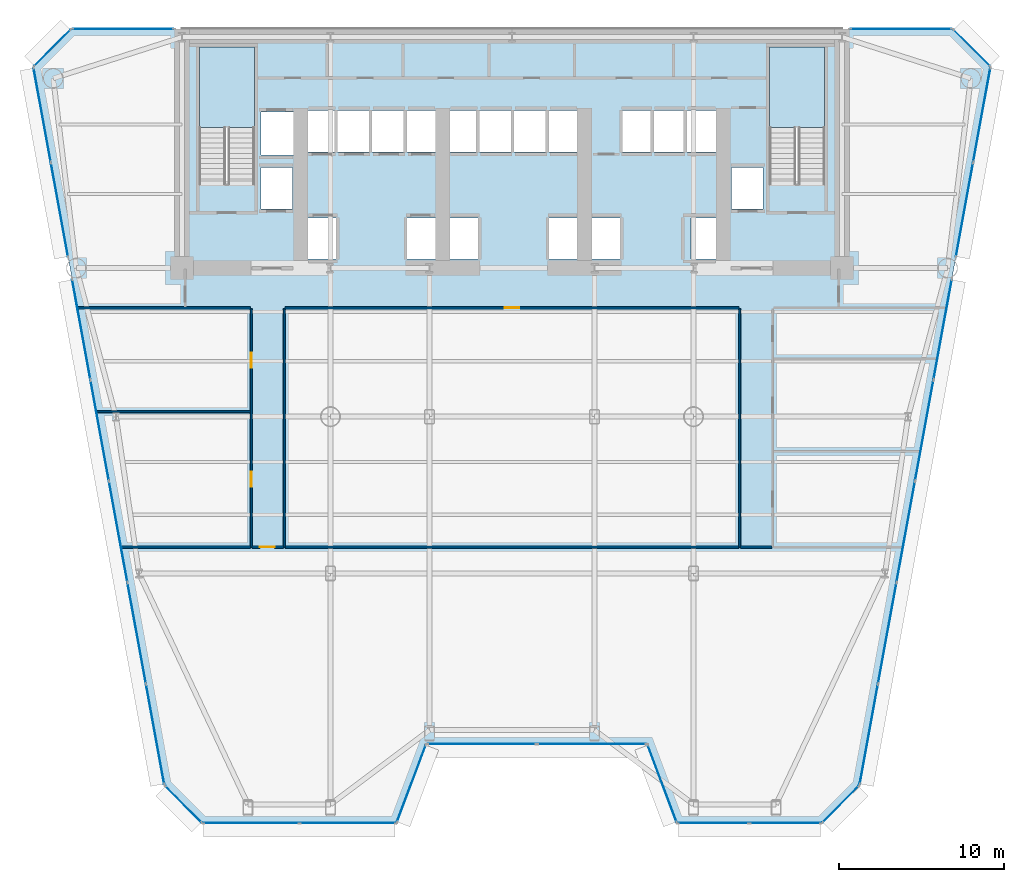
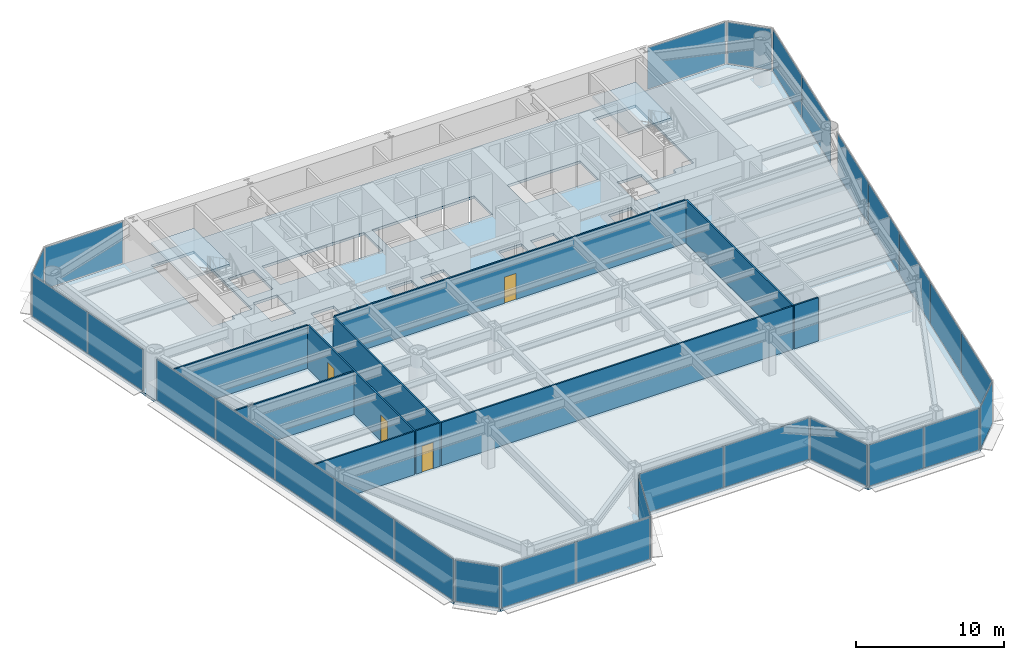
# One storey, part 7 of 14: 28 plates, 10 walls, 4 doors, 3 slabs, 4 openings, 17 elements without a shape of their own.
"""IFC4 building model written with IfcOpenShell, lengths in metres."""

from ifc_helpers import new_model, si_unit, direction, frame, frame_2d, origin, origin_2d, place, context, subcontext, project, spatial, polyline, rectangle, outline, extrude, source, transform, mapped, material, layer, layer_set, type_object, element, fill, aggregate, save


model = new_model("IFC4")

# Units and contexts
model_context = context("Model", 3, precision=1e-05, world=origin(), true_north=direction((0.0, 1.0)))
body_context = subcontext(model_context, "Body", "Model", "MODEL_VIEW")
ifc_project = project(units=[si_unit("LENGTHUNIT", "METRE"), si_unit("AREAUNIT", "SQUARE_METRE"), si_unit("VOLUMEUNIT", "CUBIC_METRE"), si_unit("PLANEANGLEUNIT", "RADIAN"), si_unit("MASSUNIT", "GRAM", prefix="KILO")], contexts=[model_context])

# Site, building, storey
site_placement = place(None, origin())
site = spatial("IfcSite", under=ifc_project, at=site_placement, CompositionType="ELEMENT")
building_placement = place(site_placement, origin())
building = spatial("IfcBuilding", under=site, at=building_placement, Name="Vaeldorn Concourse Tower", CompositionType="ELEMENT")
storey_placement = place(building_placement, frame((0.0, 0.0, 64.39990234375)))
storey = spatial("IfcBuildingStorey", under=building, at=storey_placement, Name="L16", CompositionType="ELEMENT", Elevation=64.39990234375)

# Stair, slab
ifc_material_1 = material(Name="Precast concrete C40/50", Category="concrete")
stair_type = type_object("IfcStairType", Name="STR-DOG-24x158", PredefinedType="HALF_TURN_STAIR", material=ifc_material_1)
stair_1_placement = place(storey_placement, origin())
stair_1 = element("IfcStair", 1, at=stair_1_placement, inside=storey, type_object=stair_type, Name="L16 West Core Exit Stair ST-1", PredefinedType="HALF_TURN_STAIR")
ifc_material_2 = material(Name="Concrete C40/50", Category="concrete")
ifc_layer_1 = layer(ifc_material_2, 0.199951171875)
ifc_layer_set_1 = layer_set([ifc_layer_1], Name="Concrete C40/50")
slab_type_1 = type_object("IfcSlabType", Name="SL-STAIR-LANDING", PredefinedType="LANDING", material=ifc_layer_set_1)
slab_1_placement = place(storey_placement, frame((0.0, 0.0, 1.7001953125)))
slab_1 = element("IfcSlab", 2, at=slab_1_placement, type_object=slab_type_1, Name="ST-1 landing 1", PredefinedType="LANDING", context=body_context, shape_type="SweptSolid", body=[
    extrude(outline(polyline([(18.39990234375, 45.010009765625), (18.39990234375, 49.89990234375), (15.050048828125, 49.89990234375), (15.050048828125, 45.010009765625), (18.39990234375, 45.010009765625)])), origin(), (0.0, 0.0, 1.0), 0.199951171875),
])
aggregate(stair_1, [slab_1])

stair_2_placement = place(storey_placement, origin())
stair_2 = element("IfcStair", 3, at=stair_2_placement, inside=storey, type_object=stair_type, Name="L16 East Core Exit Stair ST-2", PredefinedType="HALF_TURN_STAIR")
slab_2_placement = place(storey_placement, frame((0.0, 0.0, 1.7001953125)))
slab_2 = element("IfcSlab", 4, at=slab_2_placement, type_object=slab_type_1, Name="ST-2 landing 1", PredefinedType="LANDING", context=body_context, shape_type="SweptSolid", body=[
    extrude(outline(polyline([(52.949951171875, 45.010009765625), (52.949951171875, 49.89990234375), (49.60009765625, 49.89990234375), (49.60009765625, 45.010009765625), (52.949951171875, 45.010009765625)])), origin(), (0.0, 0.0, 1.0), 0.199951171875),
])
aggregate(stair_2, [slab_2])

# Slab
ifc_layer_2 = layer(ifc_material_2, 0.219970703125)
ifc_layer_set_2 = layer_set([ifc_layer_2], Name="Concrete C40/50")
slab_type_2 = type_object("IfcSlabType", Name="SL-TYP-220", PredefinedType="FLOOR", material=ifc_layer_set_2)
slab_3_placement = place(storey_placement, frame((0.0, 0.0, -0.219970703125)))
element("IfcSlab", 5, at=slab_3_placement, inside=storey, type_object=slab_type_2, Name="Structural Floor Slab L16", PredefinedType="FLOOR", context=body_context, shape_type="SweptSolid", body=[
    extrude(outline(polyline([(15.24169921875, 2.868896484375), (27.0, 2.868896484375), (28.800048828125, 7.6689453125), (42.199951171875, 7.6689453125), (44.0, 2.868896484375), (52.75830078125, 2.868896484375), (55.058349609375, 5.1689453125), (63.0, 48.699951171875), (60.699951171875, 51.0), (7.300048828125, 51.0), (5.0, 48.699951171875), (12.941650390625, 5.1689453125), (15.24169921875, 2.868896484375)]), holes=[polyline([(18.39990234375, 42.0), (18.39990234375, 49.89990234375), (15.050048828125, 49.89990234375), (15.050048828125, 41.60009765625), (16.800048828125, 41.60009765625), (16.800048828125, 42.0), (18.39990234375, 42.0)]), polyline([(52.949951171875, 42.0), (52.949951171875, 49.89990234375), (49.60009765625, 49.89990234375), (49.60009765625, 41.60009765625), (51.35009765625, 41.60009765625), (51.35009765625, 42.0), (52.949951171875, 42.0)]), polyline([(21.550048828125, 37.050048828125), (23.35009765625, 37.050048828125), (23.35009765625, 39.550048828125), (21.550048828125, 39.550048828125), (21.550048828125, 37.050048828125)]), polyline([(27.64990234375, 37.050048828125), (29.449951171875, 37.050048828125), (29.449951171875, 39.550048828125), (27.64990234375, 39.550048828125), (27.64990234375, 37.050048828125)]), polyline([(21.5, 43.550048828125), (29.5, 43.550048828125), (29.5, 46.050048828125), (21.5, 46.050048828125), (21.5, 43.550048828125)]), polyline([(30.14990234375, 37.050048828125), (31.949951171875, 37.050048828125), (31.949951171875, 39.550048828125), (30.14990234375, 39.550048828125), (30.14990234375, 37.050048828125)]), polyline([(36.25, 37.050048828125), (38.050048828125, 37.050048828125), (38.050048828125, 39.550048828125), (36.25, 39.550048828125), (36.25, 37.050048828125)]), polyline([(30.10009765625, 43.550048828125), (38.10009765625, 43.550048828125), (38.10009765625, 46.050048828125), (30.10009765625, 46.050048828125), (30.10009765625, 43.550048828125)]), polyline([(38.75, 37.050048828125), (40.550048828125, 37.050048828125), (40.550048828125, 39.550048828125), (38.75, 39.550048828125), (38.75, 37.050048828125)]), polyline([(44.85009765625, 37.050048828125), (46.64990234375, 37.050048828125), (46.64990234375, 39.550048828125), (44.85009765625, 39.550048828125), (44.85009765625, 37.050048828125)]), polyline([(40.699951171875, 43.550048828125), (46.39990234375, 43.550048828125), (46.39990234375, 46.050048828125), (40.699951171875, 46.050048828125), (40.699951171875, 43.550048828125)]), polyline([(18.800048828125, 43.35009765625), (20.800048828125, 43.35009765625), (20.800048828125, 45.949951171875), (18.800048828125, 45.949951171875), (18.800048828125, 43.35009765625)]), polyline([(18.800048828125, 40.10009765625), (20.699951171875, 40.10009765625), (20.699951171875, 42.60009765625), (18.800048828125, 42.60009765625), (18.800048828125, 40.10009765625)]), polyline([(47.300048828125, 40.10009765625), (49.199951171875, 40.10009765625), (49.199951171875, 42.60009765625), (47.300048828125, 42.60009765625), (47.300048828125, 40.10009765625)])]), origin(), (0.0, 0.0, 1.0), 0.219970703125),
])

# Curtain wall, plate
ifc_material_3 = material(Name="Anodised Bronze Aluminium", Category="aluminium")
ifc_layer_3 = layer(ifc_material_3, 0.219970703125)
ifc_layer_set_3 = layer_set([ifc_layer_3], Name="Anodised Bronze Aluminium")
curtain_wall_type = type_object("IfcCurtainWallType", Name="CW-SYS-01", PredefinedType="NOTDEFINED", material=ifc_layer_set_3)
curtain_wall_1_placement = place(storey_placement, origin())
curtain_wall_1 = element("IfcCurtainWall", 6, at=curtain_wall_1_placement, inside=storey, type_object=curtain_wall_type, Name="Unitised Curtain Wall CW-L16-E02-1", PredefinedType="NOTDEFINED")
ifc_material_4 = material(Name="Bronze Tinted Low-E Insulated Glass", Category="glass")
ifc_layer_4 = layer(ifc_material_4, 0.031982421875)
ifc_layer_set_4 = layer_set([ifc_layer_4], Name="Bronze Tinted Low-E Insulated Glass")
plate_type = type_object("IfcPlateType", Name="CWP-VISION-32", PredefinedType="CURTAIN_PANEL", material=ifc_layer_set_4)
shared_shape_1 = source(origin(), body_context, "Body", "SweptSolid", [
    extrude(rectangle(XDim=4.976318359375, YDim=0.031982421875, at=origin_2d()), origin(), (0.0, 0.0, 1.0), 3.429931640625),
])
plate_1_placement = place(storey_placement, frame((27.89990234375, 5.268798828125, 0.0751953125), z_axis=(0.0, 0.0, 1.0), x_axis=(0.351123441595, 0.936329177566, 0.0)))
plate_1 = element("IfcPlate", 7, at=plate_1_placement, type_object=plate_type, Name="CW-01 panel 1.1", PredefinedType="CURTAIN_PANEL", context=body_context, shape_type="MappedRepresentation", body=[
    mapped(shared_shape_1, transform((0.0, 0.0, 0.0), scale=1.0)),
])
aggregate(curtain_wall_1, [plate_1])

curtain_wall_2_placement = place(storey_placement, origin())
curtain_wall_2 = element("IfcCurtainWall", 8, at=curtain_wall_2_placement, inside=storey, type_object=curtain_wall_type, Name="Unitised Curtain Wall CW-L16-E04-1", PredefinedType="NOTDEFINED")
plate_2_placement = place(storey_placement, frame((43.10009765625, 5.268798828125, 0.0751953125), z_axis=(0.0, 0.0, 1.0), x_axis=(0.351123441595, -0.936329177566, 0.0)))
plate_2 = element("IfcPlate", 9, at=plate_2_placement, type_object=plate_type, Name="CW-01 panel 1.1", PredefinedType="CURTAIN_PANEL", context=body_context, shape_type="MappedRepresentation", body=[
    mapped(shared_shape_1, transform((0.0, 0.0, 0.0), scale=1.0)),
])
aggregate(curtain_wall_2, [plate_2])

# Curtain wall, plates
curtain_wall_3_placement = place(storey_placement, origin())
curtain_wall_3 = element("IfcCurtainWall", 10, at=curtain_wall_3_placement, inside=storey, type_object=curtain_wall_type, Name="Unitised Curtain Wall CW-L16-E03-1", PredefinedType="NOTDEFINED")
shared_shape_2 = source(origin(), body_context, "Body", "SweptSolid", [
    extrude(rectangle(XDim=6.58740234375, YDim=0.031982421875, at=origin_2d()), origin(), (0.0, 0.0, 1.0), 3.429931640625),
])
plate_3_placement = place(storey_placement, frame((32.168701171875, 7.6689453125, 0.0751953125), z_axis=(0.0, 0.0, 1.0), x_axis=(1.0, 0.0, 0.0)))
plate_3 = element("IfcPlate", 11, at=plate_3_placement, type_object=plate_type, Name="CW-01 panel 1.1", PredefinedType="CURTAIN_PANEL", context=body_context, shape_type="MappedRepresentation", body=[
    mapped(shared_shape_2, transform((0.0, 0.0, 0.0), scale=1.0)),
])
plate_4_placement = place(storey_placement, frame((38.831298828125, 7.6689453125, 0.0751953125), z_axis=(0.0, 0.0, 1.0), x_axis=(1.0, 0.0, 0.0)))
plate_4 = element("IfcPlate", 12, at=plate_4_placement, type_object=plate_type, Name="CW-01 panel 2.1", PredefinedType="CURTAIN_PANEL", context=body_context, shape_type="MappedRepresentation", body=[
    mapped(shared_shape_2, transform((0.0, 0.0, 0.0), scale=1.0)),
])
aggregate(curtain_wall_3, [plate_3, plate_4])

# Curtain wall, plate
curtain_wall_4_placement = place(storey_placement, origin())
curtain_wall_4 = element("IfcCurtainWall", 13, at=curtain_wall_4_placement, inside=storey, type_object=curtain_wall_type, Name="Unitised Curtain Wall CW-L16-E06-1", PredefinedType="NOTDEFINED")
shared_shape_3 = source(origin(), body_context, "Body", "SweptSolid", [
    extrude(rectangle(XDim=3.102783203125, YDim=0.031982421875, at=origin_2d()), origin(), (0.0, 0.0, 1.0), 3.429931640625),
])
plate_5_placement = place(storey_placement, frame((53.908447265625, 4.018798828125, 0.0751953125), z_axis=(0.0, 0.0, 1.0), x_axis=(0.707106781187, 0.707106781187, 0.0)))
plate_5 = element("IfcPlate", 14, at=plate_5_placement, type_object=plate_type, Name="CW-01 panel 1.1", PredefinedType="CURTAIN_PANEL", context=body_context, shape_type="MappedRepresentation", body=[
    mapped(shared_shape_3, transform((0.0, 0.0, 0.0), scale=1.0)),
])
aggregate(curtain_wall_4, [plate_5])

curtain_wall_5_placement = place(storey_placement, origin())
curtain_wall_5 = element("IfcCurtainWall", 15, at=curtain_wall_5_placement, inside=storey, type_object=curtain_wall_type, Name="Unitised Curtain Wall CW-L16-E08-1", PredefinedType="NOTDEFINED")
plate_6_placement = place(storey_placement, frame((61.85009765625, 49.85009765625, 0.0751953125), z_axis=(0.0, 0.0, 1.0), x_axis=(-0.707106781187, 0.707106781187, 0.0)))
plate_6 = element("IfcPlate", 16, at=plate_6_placement, type_object=plate_type, Name="CW-01 panel 1.1", PredefinedType="CURTAIN_PANEL", context=body_context, shape_type="MappedRepresentation", body=[
    mapped(shared_shape_3, transform((0.0, 0.0, 0.0), scale=1.0)),
])
aggregate(curtain_wall_5, [plate_6])

curtain_wall_6_placement = place(storey_placement, origin())
curtain_wall_6 = element("IfcCurtainWall", 17, at=curtain_wall_6_placement, inside=storey, type_object=curtain_wall_type, Name="Unitised Curtain Wall CW-L16-E10-1", PredefinedType="NOTDEFINED")
plate_7_placement = place(storey_placement, frame((6.14990234375, 49.85009765625, 0.0751953125), z_axis=(0.0, 0.0, 1.0), x_axis=(-0.707106781187, -0.707106781187, 0.0)))
plate_7 = element("IfcPlate", 18, at=plate_7_placement, type_object=plate_type, Name="CW-01 panel 1.1", PredefinedType="CURTAIN_PANEL", context=body_context, shape_type="MappedRepresentation", body=[
    mapped(shared_shape_3, transform((0.0, 0.0, 0.0), scale=1.0)),
])
aggregate(curtain_wall_6, [plate_7])

curtain_wall_7_placement = place(storey_placement, origin())
curtain_wall_7 = element("IfcCurtainWall", 19, at=curtain_wall_7_placement, inside=storey, type_object=curtain_wall_type, Name="Unitised Curtain Wall CW-L16-E12-1", PredefinedType="NOTDEFINED")
plate_8_placement = place(storey_placement, frame((14.091552734375, 4.018798828125, 0.0751953125), z_axis=(0.0, 0.0, 1.0), x_axis=(0.707106781187, -0.707106781187, 0.0)))
plate_8 = element("IfcPlate", 20, at=plate_8_placement, type_object=plate_type, Name="CW-01 panel 1.1", PredefinedType="CURTAIN_PANEL", context=body_context, shape_type="MappedRepresentation", body=[
    mapped(shared_shape_3, transform((0.0, 0.0, 0.0), scale=1.0)),
])
aggregate(curtain_wall_7, [plate_8])

curtain_wall_8_placement = place(storey_placement, origin())
curtain_wall_8 = element("IfcCurtainWall", 21, at=curtain_wall_8_placement, inside=storey, type_object=curtain_wall_type, Name="Unitised Curtain Wall CW-L16-E09-1", PredefinedType="NOTDEFINED")
shared_shape_4 = source(origin(), body_context, "Body", "SweptSolid", [
    extrude(rectangle(XDim=6.10498046875, YDim=0.031982421875, at=origin_2d()), origin(), (0.0, 0.0, 1.0), 3.429931640625),
])
plate_9_placement = place(storey_placement, frame((57.572509765625, 51.0, 0.0751953125), z_axis=(0.0, 0.0, 1.0), x_axis=(-1.0, 0.0, 0.0)))
plate_9 = element("IfcPlate", 22, at=plate_9_placement, type_object=plate_type, Name="CW-01 panel 1.1", PredefinedType="CURTAIN_PANEL", context=body_context, shape_type="MappedRepresentation", body=[
    mapped(shared_shape_4, transform((0.0, 0.0, 0.0), scale=1.0)),
])
aggregate(curtain_wall_8, [plate_9])

curtain_wall_9_placement = place(storey_placement, origin())
curtain_wall_9 = element("IfcCurtainWall", 23, at=curtain_wall_9_placement, inside=storey, type_object=curtain_wall_type, Name="Unitised Curtain Wall CW-L16-E09-2", PredefinedType="NOTDEFINED")
plate_10_placement = place(storey_placement, frame((10.427490234375, 51.0, 0.0751953125), z_axis=(0.0, 0.0, 1.0), x_axis=(-1.0, 0.0, 0.0)))
plate_10 = element("IfcPlate", 24, at=plate_10_placement, type_object=plate_type, Name="CW-01 panel 1.1", PredefinedType="CURTAIN_PANEL", context=body_context, shape_type="MappedRepresentation", body=[
    mapped(shared_shape_4, transform((0.0, 0.0, 0.0), scale=1.0)),
])
aggregate(curtain_wall_9, [plate_10])

# Curtain wall, plates
curtain_wall_10_placement = place(storey_placement, origin())
curtain_wall_10 = element("IfcCurtainWall", 25, at=curtain_wall_10_placement, inside=storey, type_object=curtain_wall_type, Name="Unitised Curtain Wall CW-L16-E01-1", PredefinedType="NOTDEFINED")
shared_shape_5 = source(origin(), body_context, "Body", "SweptSolid", [
    extrude(rectangle(XDim=5.7666015625, YDim=0.031982421875, at=origin_2d()), origin(), (0.0, 0.0, 1.0), 3.429931640625),
])
plate_11_placement = place(storey_placement, frame((18.199951171875, 2.868896484375, 0.0751953125), z_axis=(0.0, 0.0, 1.0), x_axis=(1.0, 0.0, 0.0)))
plate_11 = element("IfcPlate", 26, at=plate_11_placement, type_object=plate_type, Name="CW-01 panel 1.1", PredefinedType="CURTAIN_PANEL", context=body_context, shape_type="MappedRepresentation", body=[
    mapped(shared_shape_5, transform((0.0, 0.0, 0.0), scale=1.0)),
])
plate_12_placement = place(storey_placement, frame((24.041748046875, 2.868896484375, 0.0751953125), z_axis=(0.0, 0.0, 1.0), x_axis=(1.0, 0.0, 0.0)))
plate_12 = element("IfcPlate", 27, at=plate_12_placement, type_object=plate_type, Name="CW-01 panel 2.1", PredefinedType="CURTAIN_PANEL", context=body_context, shape_type="MappedRepresentation", body=[
    mapped(shared_shape_5, transform((0.0, 0.0, 0.0), scale=1.0)),
])
aggregate(curtain_wall_10, [plate_11, plate_12])

curtain_wall_11_placement = place(storey_placement, origin())
curtain_wall_11 = element("IfcCurtainWall", 28, at=curtain_wall_11_placement, inside=storey, type_object=curtain_wall_type, Name="Unitised Curtain Wall CW-L16-E05-1", PredefinedType="NOTDEFINED")
shared_shape_6 = source(origin(), body_context, "Body", "SweptSolid", [
    extrude(rectangle(XDim=4.2666015625, YDim=0.031982421875, at=origin_2d()), origin(), (0.0, 0.0, 1.0), 3.429931640625),
])
plate_13_placement = place(storey_placement, frame((46.208251953125, 2.868896484375, 0.0751953125), z_axis=(0.0, 0.0, 1.0), x_axis=(1.0, 0.0, 0.0)))
plate_13 = element("IfcPlate", 29, at=plate_13_placement, type_object=plate_type, Name="CW-01 panel 1.1", PredefinedType="CURTAIN_PANEL", context=body_context, shape_type="MappedRepresentation", body=[
    mapped(shared_shape_6, transform((0.0, 0.0, 0.0), scale=1.0)),
])
plate_14_placement = place(storey_placement, frame((50.550048828125, 2.868896484375, 0.0751953125), z_axis=(0.0, 0.0, 1.0), x_axis=(1.0, 0.0, 0.0)))
plate_14 = element("IfcPlate", 30, at=plate_14_placement, type_object=plate_type, Name="CW-01 panel 2.1", PredefinedType="CURTAIN_PANEL", context=body_context, shape_type="MappedRepresentation", body=[
    mapped(shared_shape_6, transform((0.0, 0.0, 0.0), scale=1.0)),
])
aggregate(curtain_wall_11, [plate_13, plate_14])

curtain_wall_12_placement = place(storey_placement, origin())
curtain_wall_12 = element("IfcCurtainWall", 31, at=curtain_wall_12_placement, inside=storey, type_object=curtain_wall_type, Name="Unitised Curtain Wall CW-L16-E07-1", PredefinedType="NOTDEFINED")
shared_shape_7 = source(origin(), body_context, "Body", "SweptSolid", [
    extrude(rectangle(XDim=6.131103515625, YDim=0.031982421875, at=origin_2d()), origin(), (0.0, 0.0, 1.0), 3.429931640625),
])
plate_15_placement = place(storey_placement, frame((55.6220703125, 8.258544921875, 0.0751953125), z_axis=(0.0, 0.0, 1.0), x_axis=(0.179473698387, 0.983762772007, 0.0)))
plate_15 = element("IfcPlate", 32, at=plate_15_placement, type_object=plate_type, Name="CW-01 panel 1.1", PredefinedType="CURTAIN_PANEL", context=body_context, shape_type="MappedRepresentation", body=[
    mapped(shared_shape_7, transform((0.0, 0.0, 0.0), scale=1.0)),
])
plate_16_placement = place(storey_placement, frame((60.09765625, 32.791015625, 0.0751953125), z_axis=(0.0, 0.0, 1.0), x_axis=(0.179473698387, 0.983762772007, 0.0)))
plate_16 = element("IfcPlate", 33, at=plate_16_placement, type_object=plate_type, Name="CW-01 panel 5.1", PredefinedType="CURTAIN_PANEL", context=body_context, shape_type="MappedRepresentation", body=[
    mapped(shared_shape_7, transform((0.0, 0.0, 0.0), scale=1.0)),
])

curtain_wall_13_placement = place(storey_placement, origin())
curtain_wall_13 = element("IfcCurtainWall", 34, at=curtain_wall_13_placement, inside=storey, type_object=curtain_wall_type, Name="Unitised Curtain Wall CW-L16-E11-2", PredefinedType="NOTDEFINED")
plate_17_placement = place(storey_placement, frame((7.90234375, 32.791015625, 0.0751953125), z_axis=(0.0, 0.0, 1.0), x_axis=(0.179473698387, -0.983762772007, 0.0)))
plate_17 = element("IfcPlate", 35, at=plate_17_placement, type_object=plate_type, Name="CW-01 panel 1.1", PredefinedType="CURTAIN_PANEL", context=body_context, shape_type="MappedRepresentation", body=[
    mapped(shared_shape_7, transform((0.0, 0.0, 0.0), scale=1.0)),
])
plate_18_placement = place(storey_placement, frame((12.3779296875, 8.258544921875, 0.0751953125), z_axis=(0.0, 0.0, 1.0), x_axis=(0.179473698387, -0.983762772007, 0.0)))
plate_18 = element("IfcPlate", 36, at=plate_18_placement, type_object=plate_type, Name="CW-01 panel 5.1", PredefinedType="CURTAIN_PANEL", context=body_context, shape_type="MappedRepresentation", body=[
    mapped(shared_shape_7, transform((0.0, 0.0, 0.0), scale=1.0)),
])

# Plate
shared_shape_8 = source(origin(), body_context, "Body", "SweptSolid", [
    extrude(rectangle(XDim=6.168701171875, YDim=0.031982421875, at=origin_2d()), origin(), (0.0, 0.0, 1.0), 3.429931640625),
])
plate_19_placement = place(storey_placement, frame((56.7392578125, 14.38232421875, 0.0751953125), z_axis=(0.0, 0.0, 1.0), x_axis=(0.179473698387, 0.983762772007, 0.0)))
plate_19 = element("IfcPlate", 37, at=plate_19_placement, type_object=plate_type, Name="CW-01 panel 2.1", PredefinedType="CURTAIN_PANEL", context=body_context, shape_type="MappedRepresentation", body=[
    mapped(shared_shape_8, transform((0.0, 0.0, 0.0), scale=1.0)),
])

plate_20_placement = place(storey_placement, frame((57.85986328125, 20.524658203125, 0.0751953125), z_axis=(0.0, 0.0, 1.0), x_axis=(0.179473698387, 0.983762772007, 0.0)))
plate_20 = element("IfcPlate", 38, at=plate_20_placement, type_object=plate_type, Name="CW-01 panel 3.1", PredefinedType="CURTAIN_PANEL", context=body_context, shape_type="MappedRepresentation", body=[
    mapped(shared_shape_8, transform((0.0, 0.0, 0.0), scale=1.0)),
])

plate_21_placement = place(storey_placement, frame((58.98046875, 26.6669921875, 0.0751953125), z_axis=(0.0, 0.0, 1.0), x_axis=(0.179473698387, 0.983762772007, 0.0)))
plate_21 = element("IfcPlate", 39, at=plate_21_placement, type_object=plate_type, Name="CW-01 panel 4.1", PredefinedType="CURTAIN_PANEL", context=body_context, shape_type="MappedRepresentation", body=[
    mapped(shared_shape_8, transform((0.0, 0.0, 0.0), scale=1.0)),
])

aggregate(curtain_wall_12, [plate_15, plate_19, plate_20, plate_21, plate_16])

plate_22_placement = place(storey_placement, frame((9.01953125, 26.6669921875, 0.0751953125), z_axis=(0.0, 0.0, 1.0), x_axis=(0.179473698387, -0.983762772007, 0.0)))
plate_22 = element("IfcPlate", 40, at=plate_22_placement, type_object=plate_type, Name="CW-01 panel 2.1", PredefinedType="CURTAIN_PANEL", context=body_context, shape_type="MappedRepresentation", body=[
    mapped(shared_shape_8, transform((0.0, 0.0, 0.0), scale=1.0)),
])

plate_23_placement = place(storey_placement, frame((10.14013671875, 20.524658203125, 0.0751953125), z_axis=(0.0, 0.0, 1.0), x_axis=(0.179473698387, -0.983762772007, 0.0)))
plate_23 = element("IfcPlate", 41, at=plate_23_placement, type_object=plate_type, Name="CW-01 panel 3.1", PredefinedType="CURTAIN_PANEL", context=body_context, shape_type="MappedRepresentation", body=[
    mapped(shared_shape_8, transform((0.0, 0.0, 0.0), scale=1.0)),
])

plate_24_placement = place(storey_placement, frame((11.2607421875, 14.38232421875, 0.0751953125), z_axis=(0.0, 0.0, 1.0), x_axis=(0.179473698387, -0.983762772007, 0.0)))
plate_24 = element("IfcPlate", 42, at=plate_24_placement, type_object=plate_type, Name="CW-01 panel 4.1", PredefinedType="CURTAIN_PANEL", context=body_context, shape_type="MappedRepresentation", body=[
    mapped(shared_shape_8, transform((0.0, 0.0, 0.0), scale=1.0)),
])

aggregate(curtain_wall_13, [plate_17, plate_22, plate_23, plate_24, plate_18])

# Curtain wall, plates
curtain_wall_14_placement = place(storey_placement, origin())
curtain_wall_14 = element("IfcCurtainWall", 43, at=curtain_wall_14_placement, inside=storey, type_object=curtain_wall_type, Name="Unitised Curtain Wall CW-L16-E07-2", PredefinedType="NOTDEFINED")
shared_shape_9 = source(origin(), body_context, "Body", "SweptSolid", [
    extrude(rectangle(XDim=5.7734375, YDim=0.031982421875, at=origin_2d()), origin(), (0.0, 0.0, 1.0), 3.429931640625),
])
plate_25_placement = place(storey_placement, frame((61.4189453125, 40.032958984375, 0.0751953125), z_axis=(0.0, 0.0, 1.0), x_axis=(0.179473735508, 0.983762765235, 0.0)))
plate_25 = element("IfcPlate", 44, at=plate_25_placement, type_object=plate_type, Name="CW-01 panel 1.1", PredefinedType="CURTAIN_PANEL", context=body_context, shape_type="MappedRepresentation", body=[
    mapped(shared_shape_9, transform((0.0, 0.0, 0.0), scale=1.0)),
])
plate_26_placement = place(storey_placement, frame((62.468505859375, 45.786376953125, 0.0751953125), z_axis=(0.0, 0.0, 1.0), x_axis=(0.179473735508, 0.983762765235, 0.0)))
plate_26 = element("IfcPlate", 45, at=plate_26_placement, type_object=plate_type, Name="CW-01 panel 2.1", PredefinedType="CURTAIN_PANEL", context=body_context, shape_type="MappedRepresentation", body=[
    mapped(shared_shape_9, transform((0.0, 0.0, 0.0), scale=1.0)),
])
aggregate(curtain_wall_14, [plate_25, plate_26])

curtain_wall_15_placement = place(storey_placement, origin())
curtain_wall_15 = element("IfcCurtainWall", 46, at=curtain_wall_15_placement, inside=storey, type_object=curtain_wall_type, Name="Unitised Curtain Wall CW-L16-E11-1", PredefinedType="NOTDEFINED")
plate_27_placement = place(storey_placement, frame((5.531494140625, 45.786376953125, 0.0751953125), z_axis=(0.0, 0.0, 1.0), x_axis=(0.179473735508, -0.983762765235, 0.0)))
plate_27 = element("IfcPlate", 47, at=plate_27_placement, type_object=plate_type, Name="CW-01 panel 1.1", PredefinedType="CURTAIN_PANEL", context=body_context, shape_type="MappedRepresentation", body=[
    mapped(shared_shape_9, transform((0.0, 0.0, 0.0), scale=1.0)),
])
plate_28_placement = place(storey_placement, frame((6.5810546875, 40.032958984375, 0.0751953125), z_axis=(0.0, 0.0, 1.0), x_axis=(0.179473735508, -0.983762765235, 0.0)))
plate_28 = element("IfcPlate", 48, at=plate_28_placement, type_object=plate_type, Name="CW-01 panel 2.1", PredefinedType="CURTAIN_PANEL", context=body_context, shape_type="MappedRepresentation", body=[
    mapped(shared_shape_9, transform((0.0, 0.0, 0.0), scale=1.0)),
])
aggregate(curtain_wall_15, [plate_27, plate_28])

# Wall, opening, door
ifc_material_5 = material(Name="Gypsum Board Partition", Category="gypsum")
ifc_layer_5 = layer(ifc_material_5, 0.1201171875)
ifc_layer_set_5 = layer_set([ifc_layer_5], Name="Gypsum Board Partition")
wall_type = type_object("IfcWallType", Name="WL-PART-120", PredefinedType="PARTITIONING", material=ifc_layer_set_5)
wall_1_placement = place(storey_placement, frame((20.260009765625, 34.10009765625, 0.0), z_axis=(0.0, 0.0, 1.0), x_axis=(1.0, 0.0, 0.0)))
wall_1 = element("IfcWall", 49, at=wall_1_placement, inside=storey, type_object=wall_type, Name="Interior Wall PW-L16-CEWS", PredefinedType="PARTITIONING", context=body_context, shape_type="SweptSolid", body=[
    extrude(rectangle(XDim=27.47998046875, YDim=0.1201171875, at=frame_2d((13.739990234375, 0.0))), origin(), (0.0, 0.0, 1.0), 3.580078125),
])
opening_1_placement = place(wall_1_placement, frame((13.2900390625, 0.0, 0.0)))
opening_1 = element("IfcOpeningElement", 50, at=opening_1_placement, cuts=wall_1, Name="Opening D-03", PredefinedType="OPENING", context=body_context, shape_type="SweptSolid", body=[
    extrude(rectangle(XDim=0.89990234375, YDim=2.14990234375, at=frame_2d((0.449951171875, 1.074951171875))), frame((0.0, 0.070068359375, 0.0), z_axis=(0.0, -1.0, 0.0), x_axis=(1.0, 0.0, 0.0)), (0.0, 0.0, 1.0), 0.14013671875),
])
ifc_material_6 = material(Name="Acoustic Bronze-Framed Glass Door", Category="glass")
door_type = type_object("IfcDoorType", Name="DR-INT-900", OperationType="NOTDEFINED", PredefinedType="DOOR", material=ifc_material_6)
shared_shape_10 = source(origin(), body_context, "Body", "SweptSolid", [
    extrude(rectangle(XDim=0.89990234375, YDim=2.14990234375, at=frame_2d((0.449951171875, 1.074951171875))), frame((0.0, 0.02490234375, 0.0), z_axis=(0.0, -1.0, 0.0), x_axis=(1.0, 0.0, 0.0)), (0.0, 0.0, 1.0), 0.050048828125),
])
door_1_placement = place(opening_1_placement, origin())
door_1 = element("IfcDoor", 51, at=door_1_placement, inside=storey, type_object=door_type, Name="Interior Door DR-L16-H1", OperationType="SINGLE_SWING_LEFT", OverallHeight=2.14990234375, OverallWidth=0.89990234375, PredefinedType="DOOR", context=body_context, shape_type="MappedRepresentation", body=[
    mapped(shared_shape_10, transform((0.0, 0.0, 0.0), scale=1.0)),
])
fill(opening_1, door_1)

# Wall
wall_2_placement = place(storey_placement, frame((7.70361328125, 34.10009765625, 0.0), z_axis=(0.0, 0.0, 1.0), x_axis=(1.0, 0.0, 0.0)))
element("IfcWall", 52, at=wall_2_placement, inside=storey, type_object=wall_type, Name="Interior Wall PW-L16-CEWW", PredefinedType="PARTITIONING", context=body_context, shape_type="SweptSolid", body=[
    extrude(rectangle(XDim=10.436279296875, YDim=0.1201171875, at=frame_2d((5.21826171875, 0.0))), origin(), (0.0, 0.0, 1.0), 3.580078125),
])

# Wall, openings, doors
wall_3_placement = place(storey_placement, frame((18.199951171875, 19.60009765625, 0.0), z_axis=(0.0, 0.0, 1.0), x_axis=(0.0, 1.0, 0.0)))
wall_3 = element("IfcWall", 53, at=wall_3_placement, inside=storey, type_object=wall_type, Name="Interior Wall PW-L16-CWW", PredefinedType="PARTITIONING", context=body_context, shape_type="SweptSolid", body=[
    extrude(rectangle(XDim=14.43994140625, YDim=0.1201171875, at=frame_2d((7.219970703125, 0.0))), origin(), (0.0, 0.0, 1.0), 3.580078125),
])
opening_2_placement = place(wall_3_placement, frame((3.64990234375, 0.0, 0.0)))
opening_2 = element("IfcOpeningElement", 54, at=opening_2_placement, cuts=wall_3, Name="Opening D-03", PredefinedType="OPENING", context=body_context, shape_type="SweptSolid", body=[
    extrude(rectangle(XDim=0.89990234375, YDim=2.14990234375, at=frame_2d((0.449951171875, 1.074951171875))), frame((0.0, 0.070068359375, 0.0), z_axis=(0.0, -1.0, 0.0), x_axis=(1.0, 0.0, 0.0)), (0.0, 0.0, 1.0), 0.14013671875),
])
opening_3_placement = place(wall_3_placement, frame((10.8701171875, 0.0, 0.0)))
opening_3 = element("IfcOpeningElement", 55, at=opening_3_placement, cuts=wall_3, Name="Opening D-03", PredefinedType="OPENING", context=body_context, shape_type="SweptSolid", body=[
    extrude(rectangle(XDim=0.89990234375, YDim=2.14990234375, at=frame_2d((0.449951171875, 1.074951171875))), frame((0.0, 0.070068359375, 0.0), z_axis=(0.0, -1.0, 0.0), x_axis=(1.0, 0.0, 0.0)), (0.0, 0.0, 1.0), 0.14013671875),
])
door_2_placement = place(opening_2_placement, origin())
door_2 = element("IfcDoor", 56, at=door_2_placement, inside=storey, type_object=door_type, Name="Interior Door DR-L16-W1", OperationType="SINGLE_SWING_LEFT", OverallHeight=2.14990234375, OverallWidth=0.89990234375, PredefinedType="DOOR", context=body_context, shape_type="MappedRepresentation", body=[
    mapped(shared_shape_10, transform((0.0, 0.0, 0.0), scale=1.0)),
])
fill(opening_2, door_2)
door_3_placement = place(opening_3_placement, origin())
door_3 = element("IfcDoor", 57, at=door_3_placement, inside=storey, type_object=door_type, Name="Interior Door DR-L16-W2", OperationType="SINGLE_SWING_RIGHT", OverallHeight=2.14990234375, OverallWidth=0.89990234375, PredefinedType="DOOR", context=body_context, shape_type="MappedRepresentation", body=[
    mapped(shared_shape_10, transform((0.0, 0.0, 0.0), scale=1.0)),
])
fill(opening_3, door_3)

# Walls
for number, where, z_axis, x_axis, name in (
    (58, (20.199951171875, 19.60009765625, 0.0), (0.0, 0.0, 1.0), (0.0, 1.0, 0.0), "Interior Wall PW-L16-CWE"),
    (59, (47.800048828125, 19.60009765625, 0.0), (0.0, 0.0, 1.0), (0.0, 1.0, 0.0), "Interior Wall PW-L16-CEW"),
):
    element("IfcWall", number, at=place(storey_placement, frame(where, z_axis=z_axis, x_axis=x_axis)), inside=storey, type_object=wall_type, Name=name, PredefinedType="PARTITIONING", context=body_context, shape_type="SweptSolid", body=[
        extrude(rectangle(XDim=14.43994140625, YDim=0.1201171875, at=frame_2d((7.219970703125, 0.0))), origin(), (0.0, 0.0, 1.0), 3.580078125),
    ])

# Wall, opening, door
wall_4_placement = place(storey_placement, frame((18.260009765625, 19.60009765625, 0.0), z_axis=(0.0, 0.0, 1.0), x_axis=(1.0, 0.0, 0.0)))
wall_4 = element("IfcWall", 60, at=wall_4_placement, inside=storey, type_object=wall_type, Name="Interior Wall PW-L16-CWS", PredefinedType="PARTITIONING", context=body_context, shape_type="SweptSolid", body=[
    extrude(rectangle(XDim=1.8798828125, YDim=0.1201171875, at=frame_2d((0.93994140625, 0.0))), origin(), (0.0, 0.0, 1.0), 3.580078125),
])
opening_4_placement = place(wall_4_placement, frame((0.449951171875, 0.0, 0.0)))
opening_4 = element("IfcOpeningElement", 61, at=opening_4_placement, cuts=wall_4, Name="Opening D-03", PredefinedType="OPENING", context=body_context, shape_type="SweptSolid", body=[
    extrude(rectangle(XDim=0.89990234375, YDim=2.14990234375, at=frame_2d((0.449951171875, 1.074951171875))), frame((0.0, 0.070068359375, 0.0), z_axis=(0.0, -1.0, 0.0), x_axis=(1.0, 0.0, 0.0)), (0.0, 0.0, 1.0), 0.14013671875),
])
door_4_placement = place(opening_4_placement, origin())
door_4 = element("IfcDoor", 62, at=door_4_placement, inside=storey, type_object=door_type, Name="Interior Door DR-L16-SWL", OperationType="SINGLE_SWING_LEFT", OverallHeight=2.14990234375, OverallWidth=0.89990234375, PredefinedType="DOOR", context=body_context, shape_type="MappedRepresentation", body=[
    mapped(shared_shape_10, transform((0.0, 0.0, 0.0), scale=1.0)),
])
fill(opening_4, door_4)

# Walls
wall_5_placement = place(storey_placement, frame((47.860107421875, 19.60009765625, 0.0), z_axis=(0.0, 0.0, 1.0), x_axis=(1.0, 0.0, 0.0)))
element("IfcWall", 63, at=wall_5_placement, inside=storey, type_object=wall_type, Name="Interior Wall PW-L16-CES", PredefinedType="PARTITIONING", context=body_context, shape_type="SweptSolid", body=[
    extrude(rectangle(XDim=1.8798828125, YDim=0.1201171875, at=frame_2d((0.93994140625, 0.0))), origin(), (0.0, 0.0, 1.0), 3.580078125),
])
wall_6_placement = place(storey_placement, frame((10.348876953125, 19.60009765625, 0.0), z_axis=(0.0, 0.0, 1.0), x_axis=(1.0, 0.0, 0.0)))
element("IfcWall", 64, at=wall_6_placement, inside=storey, type_object=wall_type, Name="Interior Wall PW-L16-WY0", PredefinedType="PARTITIONING", context=body_context, shape_type="SweptSolid", body=[
    extrude(rectangle(XDim=7.791015625, YDim=0.1201171875, at=frame_2d((3.8955078125, 0.0))), origin(), (0.0, 0.0, 1.0), 3.580078125),
])
wall_7_placement = place(storey_placement, frame((8.852783203125, 27.800048828125, 0.0), z_axis=(0.0, 0.0, 1.0), x_axis=(1.0, 0.0, 0.0)))
element("IfcWall", 65, at=wall_7_placement, inside=storey, type_object=wall_type, Name="Interior Wall PW-L16-WY1", PredefinedType="PARTITIONING", context=body_context, shape_type="SweptSolid", body=[
    extrude(rectangle(XDim=9.287109375, YDim=0.1201171875, at=frame_2d((4.6435546875, 0.0))), origin(), (0.0, 0.0, 1.0), 3.580078125),
])
wall_8_placement = place(storey_placement, frame((20.260009765625, 19.60009765625, 0.0), z_axis=(0.0, 0.0, 1.0), x_axis=(1.0, 0.0, 0.0)))
element("IfcWall", 66, at=wall_8_placement, inside=storey, type_object=wall_type, Name="Interior Wall PW-L16-HUBS", PredefinedType="PARTITIONING", context=body_context, shape_type="SweptSolid", body=[
    extrude(rectangle(XDim=27.47998046875, YDim=0.1201171875, at=frame_2d((13.739990234375, 0.0))), origin(), (0.0, 0.0, 1.0), 3.580078125),
])

save(model, "model.ifc")
